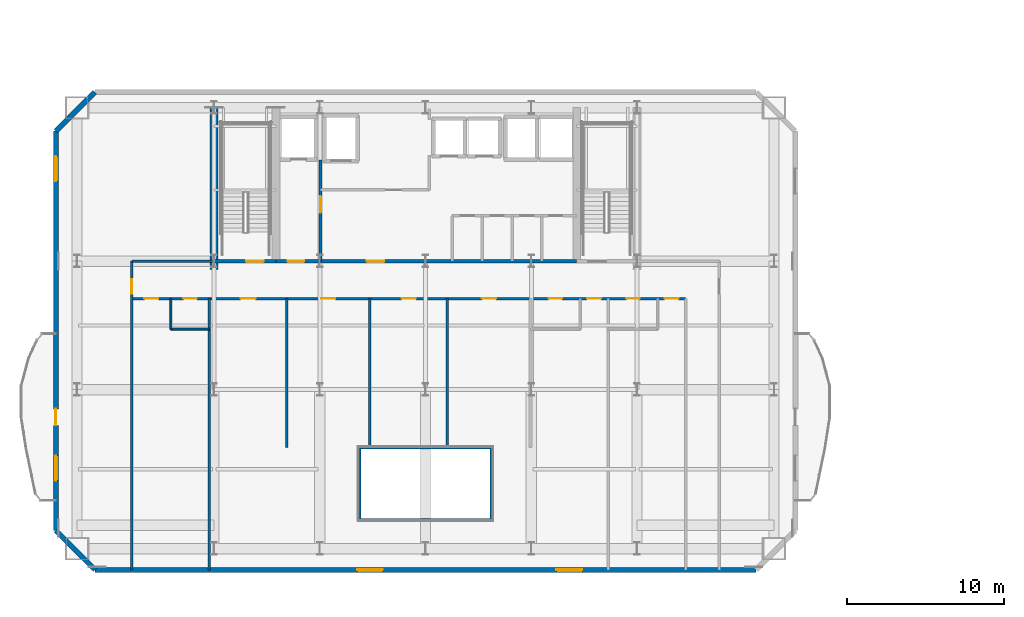
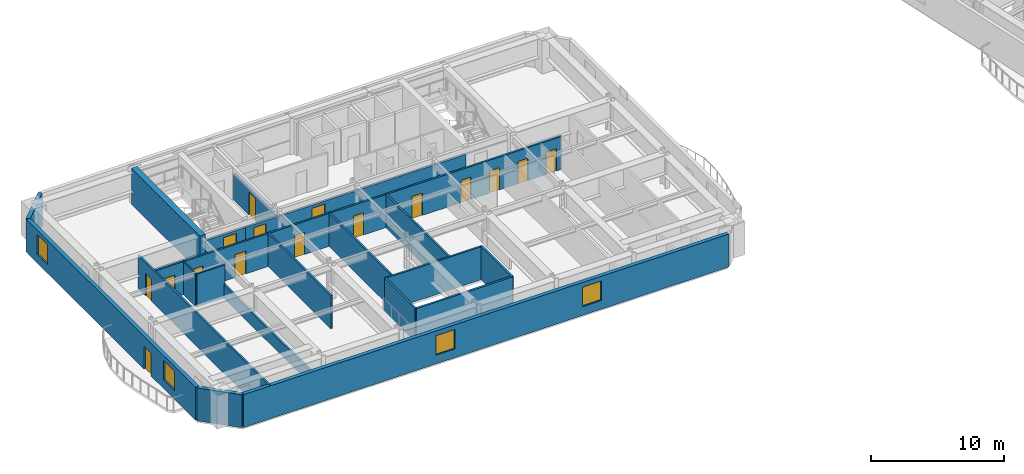
# One storey, part 7 of 15: 22 walls, 16 doors, 4 windows, 20 openings.
"""IFC4 building model written with IfcOpenShell, lengths in metres."""

from ifc_helpers import new_model, si_unit, direction, frame, frame_2d, origin, place, context, subcontext, project, spatial, rectangle, extrude, material, layer, layer_set, type_object, element, fill, save


model = new_model("IFC4")

# Units and contexts
model_context = context("Model", 3, precision=1e-05, world=origin(), true_north=direction((0.0, 1.0)))
body_context = subcontext(model_context, "Body", "Model", "MODEL_VIEW")
ifc_project = project(units=[si_unit("LENGTHUNIT", "METRE"), si_unit("AREAUNIT", "SQUARE_METRE"), si_unit("VOLUMEUNIT", "CUBIC_METRE"), si_unit("PLANEANGLEUNIT", "RADIAN"), si_unit("MASSUNIT", "GRAM", prefix="KILO")], contexts=[model_context])

# Site, building, storey
site_placement = place(None, origin())
site = spatial("IfcSite", under=ifc_project, at=site_placement, CompositionType="ELEMENT")
building_placement = place(site_placement, origin())
building = spatial("IfcBuilding", under=site, at=building_placement, Name="Haevon Station Towers", CompositionType="ELEMENT")
storey_placement = place(building_placement, frame((0.0, 0.0, 109.800048828125)))
storey = spatial("IfcBuildingStorey", under=building, at=storey_placement, Name="L29", CompositionType="ELEMENT", Elevation=109.800048828125)

# Walls
ifc_material_1 = material(Name="Gypsum board on steel stud", Category="steel")
ifc_layer_1 = layer(ifc_material_1, 0.179931640625)
ifc_layer_set_1 = layer_set([ifc_layer_1], Name="Gypsum board on steel stud")
wall_type_1 = type_object("IfcWallType", Name="WL-ACU180", PredefinedType="PARTITIONING", material=ifc_layer_set_1)
wall_1_placement = place(storey_placement, frame((33.300048828125, 21.699951171875, 0.0), z_axis=(0.0, 0.0, 1.0), x_axis=(1.0, 0.0, 0.0)))
element("IfcWall", 1, at=wall_1_placement, inside=storey, type_object=wall_type_1, Name="WL-T1PT-L29-06", PredefinedType="PARTITIONING", context=body_context, shape_type="SweptSolid", body=[
    extrude(rectangle(XDim=8.39990234375, YDim=0.179931640625, at=frame_2d((4.199951171875, 0.0))), origin(), (0.0, 0.0, 1.0), 3.030029296875),
])
wall_2_placement = place(storey_placement, frame((41.699951171875, 21.699951171875, 0.0), z_axis=(0.0, 0.0, 1.0), x_axis=(0.0, 1.0, 0.0)))
element("IfcWall", 2, at=wall_2_placement, inside=storey, type_object=wall_type_1, Name="WL-T1PT-L29-09", PredefinedType="PARTITIONING", context=body_context, shape_type="SweptSolid", body=[
    extrude(rectangle(XDim=4.60009765625, YDim=0.179931640625, at=frame_2d((2.300048828125, 0.0))), origin(), (0.0, 0.0, 1.0), 3.030029296875),
])
wall_3_placement = place(storey_placement, frame((23.698974609375, 18.5, 0.0), z_axis=(0.0, 0.0, 1.0), x_axis=(0.0, 1.0, 0.0)))
element("IfcWall", 3, at=wall_3_placement, inside=storey, type_object=wall_type_1, Name="WL-T1PT-L29-12", PredefinedType="PARTITIONING", context=body_context, shape_type="SweptSolid", body=[
    extrude(rectangle(XDim=17.320068359375, YDim=0.179931640625, at=frame_2d((8.66015625, 0.0))), origin(), (0.0, 0.0, 1.0), 1.22998046875),
])

# Wall, opening, door
ifc_layer_2 = layer(ifc_material_1, 0.199951171875)
ifc_layer_set_2 = layer_set([ifc_layer_2], Name="Gypsum board on steel stud")
wall_type_2 = type_object("IfcWallType", Name="WL-COR200", PredefinedType="PARTITIONING", material=ifc_layer_set_2)
wall_4_placement = place(storey_placement, frame((24.0, 38.199951171875, 0.0), z_axis=(0.0, 0.0, 1.0), x_axis=(1.0, 0.0, 0.0)))
wall_4 = element("IfcWall", 4, at=wall_4_placement, inside=storey, type_object=wall_type_2, Name="WL-ST-ST1-L29", PredefinedType="PARTITIONING", context=body_context, shape_type="SweptSolid", body=[
    extrude(rectangle(XDim=3.949951171875, YDim=0.199951171875, at=frame_2d((1.97509765625, 0.0))), origin(), (0.0, 0.0, 1.0), 2.3798828125),
])
opening_1_placement = place(wall_4_placement, frame((2.050048828125, 0.0, 0.0)))
opening_1 = element("IfcOpeningElement", 5, at=opening_1_placement, cuts=wall_4, Name="Opening DR-ST-ST1-L29", PredefinedType="OPENING", context=body_context, shape_type="SweptSolid", body=[
    extrude(rectangle(XDim=1.1201171875, YDim=2.10009765625, at=frame_2d((0.56005859375, 1.050048828125))), frame((0.0, 0.10986328125, 0.0), z_axis=(0.0, -1.0, 0.0), x_axis=(1.0, 0.0, 0.0)), (0.0, 0.0, 1.0), 0.219970703125),
])
ifc_material_2 = material(Name="Engineered oak timber", Category="wood")
door_type_1 = type_object("IfcDoorType", Name="DR-ST-1120", OperationType="NOTDEFINED", PredefinedType="DOOR", material=ifc_material_2)
door_1_placement = place(opening_1_placement, origin())
door_1 = element("IfcDoor", 6, at=door_1_placement, inside=storey, type_object=door_type_1, Name="L29 Escape Stair ST1 Fire Door", OperationType="SINGLE_SWING_RIGHT", OverallHeight=2.10009765625, OverallWidth=1.1201171875, PredefinedType="DOOR", context=body_context, shape_type="SweptSolid", body=[
    extrude(rectangle(XDim=1.1201171875, YDim=2.10009765625, at=frame_2d((0.56005859375, 1.050048828125))), frame((0.0, 0.02490234375, 0.0), z_axis=(0.0, -1.0, 0.0), x_axis=(1.0, 0.0, 0.0)), (0.0, 0.0, 1.0), 0.050048828125),
])
fill(opening_1, door_1)

wall_5_placement = place(storey_placement, frame((30.800048828125, 38.199951171875, 0.0), z_axis=(0.0, 0.0, 1.0), x_axis=(0.0, 1.0, 0.0)))
wall_5 = element("IfcWall", 7, at=wall_5_placement, inside=storey, type_object=wall_type_2, Name="WL-T1FFL-L29-E", PredefinedType="PARTITIONING", context=body_context, shape_type="SweptSolid", body=[
    extrude(rectangle(XDim=6.449951171875, YDim=0.199951171875, at=frame_2d((3.22509765625, 0.0))), origin(), (0.0, 0.0, 1.0), 2.3798828125),
])
opening_2_placement = place(wall_5_placement, frame((3.10009765625, 0.0, 0.0)))
opening_2 = element("IfcOpeningElement", 8, at=opening_2_placement, cuts=wall_5, Name="Opening DR-T1FFL-L29-E", PredefinedType="OPENING", context=body_context, shape_type="SweptSolid", body=[
    extrude(rectangle(XDim=1.050048828125, YDim=2.10009765625, at=frame_2d((0.52490234375, 1.050048828125))), frame((0.0, 0.10986328125, 0.0), z_axis=(0.0, -1.0, 0.0), x_axis=(1.0, 0.0, 0.0)), (0.0, 0.0, 1.0), 0.219970703125),
])
door_type_2 = type_object("IfcDoorType", Name="DR-FD60-1050", OperationType="NOTDEFINED", PredefinedType="DOOR", material=ifc_material_2)
door_2_placement = place(opening_2_placement, origin())
door_2 = element("IfcDoor", 9, at=door_2_placement, inside=storey, type_object=door_type_2, Name="L29 Tower 1 Firefighting Lift Lobby Door E", OperationType="SINGLE_SWING_RIGHT", OverallHeight=2.10009765625, OverallWidth=1.050048828125, PredefinedType="DOOR", context=body_context, shape_type="SweptSolid", body=[
    extrude(rectangle(XDim=1.050048828125, YDim=2.10009765625, at=frame_2d((0.52490234375, 1.050048828125))), frame((0.0, 0.02490234375, 0.0), z_axis=(0.0, -1.0, 0.0), x_axis=(1.0, 0.0, 0.0)), (0.0, 0.0, 1.0), 0.050048828125),
])
fill(opening_2, door_2)

wall_6_placement = place(storey_placement, frame((27.949951171875, 38.199951171875, 0.0), z_axis=(0.0, 0.0, 1.0), x_axis=(1.0, 0.0, 0.0)))
wall_6 = element("IfcWall", 10, at=wall_6_placement, inside=storey, type_object=wall_type_2, Name="WL-T1FFL-L29-S", PredefinedType="PARTITIONING", context=body_context, shape_type="SweptSolid", body=[
    extrude(rectangle(XDim=2.85009765625, YDim=0.199951171875, at=frame_2d((1.425048828125, 0.0))), origin(), (0.0, 0.0, 1.0), 2.3798828125),
])
opening_3_placement = place(wall_6_placement, frame((0.75, 0.0, 0.0)))
opening_3 = element("IfcOpeningElement", 11, at=opening_3_placement, cuts=wall_6, Name="Opening DR-T1FFL-L29-S", PredefinedType="OPENING", context=body_context, shape_type="SweptSolid", body=[
    extrude(rectangle(XDim=1.050048828125, YDim=2.10009765625, at=frame_2d((0.52490234375, 1.050048828125))), frame((0.0, 0.10986328125, 0.0), z_axis=(0.0, -1.0, 0.0), x_axis=(1.0, 0.0, 0.0)), (0.0, 0.0, 1.0), 0.219970703125),
])
door_3_placement = place(opening_3_placement, origin())
door_3 = element("IfcDoor", 12, at=door_3_placement, inside=storey, type_object=door_type_2, Name="L29 Tower 1 Firefighting Lift Lobby Door S", OperationType="SINGLE_SWING_LEFT", OverallHeight=2.10009765625, OverallWidth=1.050048828125, PredefinedType="DOOR", context=body_context, shape_type="SweptSolid", body=[
    extrude(rectangle(XDim=1.050048828125, YDim=2.10009765625, at=frame_2d((0.52490234375, 1.050048828125))), frame((0.0, 0.02490234375, 0.0), z_axis=(0.0, -1.0, 0.0), x_axis=(1.0, 0.0, 0.0)), (0.0, 0.0, 1.0), 0.050048828125),
])
fill(opening_3, door_3)

wall_7_placement = place(storey_placement, frame((30.800048828125, 38.199951171875, 0.0), z_axis=(0.0, 0.0, 1.0), x_axis=(1.0, 0.0, 0.0)))
wall_7 = element("IfcWall", 13, at=wall_7_placement, inside=storey, type_object=wall_type_2, Name="WL-T1CLB-L29", PredefinedType="PARTITIONING", context=body_context, shape_type="SweptSolid", body=[
    extrude(rectangle(XDim=16.349853515625, YDim=0.199951171875, at=frame_2d((8.1748046875, 0.0))), origin(), (0.0, 0.0, 1.0), 2.3798828125),
])
opening_4_placement = place(wall_7_placement, frame((2.949951171875, 0.0, 0.0)))
opening_4 = element("IfcOpeningElement", 14, at=opening_4_placement, cuts=wall_7, Name="Opening DR-T1CLB-L29-1", PredefinedType="OPENING", context=body_context, shape_type="SweptSolid", body=[
    extrude(rectangle(XDim=1.1201171875, YDim=2.10009765625, at=frame_2d((0.56005859375, 1.050048828125))), frame((0.0, 0.10986328125, 0.0), z_axis=(0.0, -1.0, 0.0), x_axis=(1.0, 0.0, 0.0)), (0.0, 0.0, 1.0), 0.219970703125),
])
door_4_placement = place(opening_4_placement, origin())
door_4 = element("IfcDoor", 15, at=door_4_placement, inside=storey, type_object=door_type_1, Name="L29 Tower 1 Core Lift Lobby Door 1", OperationType="SINGLE_SWING_RIGHT", OverallHeight=2.10009765625, OverallWidth=1.1201171875, PredefinedType="DOOR", context=body_context, shape_type="SweptSolid", body=[
    extrude(rectangle(XDim=1.1201171875, YDim=2.10009765625, at=frame_2d((0.56005859375, 1.050048828125))), frame((0.0, 0.02490234375, 0.0), z_axis=(0.0, -1.0, 0.0), x_axis=(1.0, 0.0, 0.0)), (0.0, 0.0, 1.0), 0.050048828125),
])
fill(opening_4, door_4)

# Wall
ifc_material_3 = material(Name="Concrete C60/75", Category="concrete")
ifc_layer_3 = layer(ifc_material_3, 0.5)
ifc_layer_set_3 = layer_set([ifc_layer_3], Name="Concrete C60/75")
wall_type_3 = type_object("IfcWallType", Name="WL-CR500", PredefinedType="SHEAR", material=ifc_layer_set_3)
wall_8_placement = place(storey_placement, frame((24.0, 37.679931640625, 0.0), z_axis=(0.0, 0.0, 1.0), x_axis=(0.0, 1.0, 0.0)))
element("IfcWall", 16, at=wall_8_placement, inside=storey, type_object=wall_type_3, Name="WL-T1CR-L29-W", PredefinedType="SHEAR", context=body_context, shape_type="SweptSolid", body=[
    extrude(rectangle(XDim=10.320068359375, YDim=0.5, at=frame_2d((5.16015625, 0.0))), origin(), (0.0, 0.0, 1.0), 3.300048828125),
])

# Wall, openings, windows
ifc_material_4 = material(Name="Precast concrete C45/55", Category="concrete")
ifc_layer_4 = layer(ifc_material_4, 0.320068359375)
ifc_layer_set_4 = layer_set([ifc_layer_4], Name="Precast concrete C45/55")
wall_type_4 = type_object("IfcWallType", Name="WL-EXT-PIER320", PredefinedType="SOLIDWALL", material=ifc_layer_set_4)
wall_9_placement = place(storey_placement, frame((58.60009765625, 18.5, 0.0), z_axis=(0.0, 0.0, 1.0), x_axis=(-1.0, 0.0, 0.0)))
wall_9 = element("IfcWall", 17, at=wall_9_placement, inside=storey, type_object=wall_type_4, Name="WL-T1-L29-S", PredefinedType="SOLIDWALL", context=body_context, shape_type="SweptSolid", body=[
    extrude(rectangle(XDim=42.2001953125, YDim=0.320068359375, at=frame_2d((21.10009765625, 0.0))), origin(), (0.0, 0.0, 1.0), 3.030029296875),
])
opening_5_placement = place(wall_9_placement, frame((23.824462890625, 0.0, 0.800048828125)))
opening_5 = element("IfcOpeningElement", 18, at=opening_5_placement, cuts=wall_9, Name="Opening WN-P165", PredefinedType="OPENING", context=body_context, shape_type="SweptSolid", body=[
    extrude(rectangle(XDim=1.64990234375, YDim=1.800048828125, at=frame_2d((0.824951171875, 0.89990234375))), frame((0.0, 0.169921875, 0.0), z_axis=(0.0, -1.0, 0.0), x_axis=(1.0, 0.0, 0.0)), (0.0, 0.0, 1.0), 0.340087890625),
])
opening_6_placement = place(wall_9_placement, frame((11.098388671875, 0.0, 0.800048828125)))
opening_6 = element("IfcOpeningElement", 19, at=opening_6_placement, cuts=wall_9, Name="Opening WN-P165", PredefinedType="OPENING", context=body_context, shape_type="SweptSolid", body=[
    extrude(rectangle(XDim=1.64990234375, YDim=1.800048828125, at=frame_2d((0.824951171875, 0.89990234375))), frame((0.0, 0.169921875, 0.0), z_axis=(0.0, -1.0, 0.0), x_axis=(1.0, 0.0, 0.0)), (0.0, 0.0, 1.0), 0.340087890625),
])
ifc_material_5 = material(Name="Low-E triple glazing in thermally broken aluminium", Category="aluminium")
window_type_1 = type_object("IfcWindowType", Name="WN-P165", PartitioningType="SINGLE_PANEL", PredefinedType="WINDOW", material=ifc_material_5)
window_1_placement = place(opening_5_placement, origin())
window_1 = element("IfcWindow", 20, at=window_1_placement, inside=storey, type_object=window_type_1, Name="WN-T1-L29-S01", OverallHeight=1.800048828125, OverallWidth=1.64990234375, PartitioningType="SINGLE_PANEL", PredefinedType="WINDOW", context=body_context, shape_type="SweptSolid", body=[
    extrude(rectangle(XDim=1.64990234375, YDim=1.800048828125, at=frame_2d((0.824951171875, 0.89990234375))), frame((0.0, 0.030029296875, 0.0), z_axis=(0.0, -1.0, 0.0), x_axis=(1.0, 0.0, 0.0)), (0.0, 0.0, 1.0), 0.06005859375),
])
fill(opening_5, window_1)
window_2_placement = place(opening_6_placement, origin())
window_2 = element("IfcWindow", 21, at=window_2_placement, inside=storey, type_object=window_type_1, Name="WN-T1-L29-S02", OverallHeight=1.800048828125, OverallWidth=1.64990234375, PartitioningType="SINGLE_PANEL", PredefinedType="WINDOW", context=body_context, shape_type="SweptSolid", body=[
    extrude(rectangle(XDim=1.64990234375, YDim=1.800048828125, at=frame_2d((0.824951171875, 0.89990234375))), frame((0.0, 0.030029296875, 0.0), z_axis=(0.0, -1.0, 0.0), x_axis=(1.0, 0.0, 0.0)), (0.0, 0.0, 1.0), 0.06005859375),
])
fill(opening_6, window_2)

# Wall
wall_10_placement = place(storey_placement, frame((16.39990234375, 18.5, 0.0), z_axis=(0.0, 0.0, 1.0), x_axis=(-0.707106781187, 0.707106781187, 0.0)))
element("IfcWall", 22, at=wall_10_placement, inside=storey, type_object=wall_type_4, Name="WL-T1-L29-SWC", PredefinedType="SOLIDWALL", context=body_context, shape_type="SweptSolid", body=[
    extrude(rectangle(XDim=3.53564453125, YDim=0.320068359375, at=frame_2d((1.767822265625, 0.0))), origin(), (0.0, 0.0, 1.0), 3.030029296875),
])

# Wall, openings, door, windows
wall_11_placement = place(storey_placement, frame((13.89990234375, 21.0, 0.0), z_axis=(0.0, 0.0, 1.0), x_axis=(0.0, 1.0, 0.0)))
wall_11 = element("IfcWall", 23, at=wall_11_placement, inside=storey, type_object=wall_type_4, Name="WL-T1-L29-W", PredefinedType="SOLIDWALL", context=body_context, shape_type="SweptSolid", body=[
    extrude(rectangle(XDim=25.5, YDim=0.320068359375, at=frame_2d((12.75, 0.0))), origin(), (0.0, 0.0, 1.0), 3.030029296875),
])
opening_7_placement = place(wall_11_placement, frame((6.72509765625, 0.0, 0.0)))
opening_7 = element("IfcOpeningElement", 24, at=opening_7_placement, cuts=wall_11, Name="Opening DR-T1-SCAL-L29-W", PredefinedType="OPENING", context=body_context, shape_type="SweptSolid", body=[
    extrude(rectangle(XDim=1.050048828125, YDim=2.10009765625, at=frame_2d((0.52490234375, 1.050048828125))), frame((0.0, 0.169921875, 0.0), z_axis=(0.0, -1.0, 0.0), x_axis=(1.0, 0.0, 0.0)), (0.0, 0.0, 1.0), 0.340087890625),
])
opening_8_placement = place(wall_11_placement, frame((3.189208984375, 0.0, 0.800048828125)))
opening_8 = element("IfcOpeningElement", 25, at=opening_8_placement, cuts=wall_11, Name="Opening WN-END160", PredefinedType="OPENING", context=body_context, shape_type="SweptSolid", body=[
    extrude(rectangle(XDim=1.60009765625, YDim=1.800048828125, at=frame_2d((0.800048828125, 0.89990234375))), frame((0.0, 0.169921875, 0.0), z_axis=(0.0, -1.0, 0.0), x_axis=(1.0, 0.0, 0.0)), (0.0, 0.0, 1.0), 0.340087890625),
])
opening_9_placement = place(wall_11_placement, frame((22.3037109375, 0.0, 0.800048828125)))
opening_9 = element("IfcOpeningElement", 26, at=opening_9_placement, cuts=wall_11, Name="Opening WN-END160", PredefinedType="OPENING", context=body_context, shape_type="SweptSolid", body=[
    extrude(rectangle(XDim=1.60009765625, YDim=1.800048828125, at=frame_2d((0.800048828125, 0.89990234375))), frame((0.0, 0.169921875, 0.0), z_axis=(0.0, -1.0, 0.0), x_axis=(1.0, 0.0, 0.0)), (0.0, 0.0, 1.0), 0.340087890625),
])
ifc_material_6 = material(Name="Thermally broken anodised aluminium and laminated safety glass", Category="aluminium")
door_type_3 = type_object("IfcDoorType", Name="DR-BALC-1050", OperationType="NOTDEFINED", PredefinedType="DOOR", material=ifc_material_6)
door_5_placement = place(opening_7_placement, origin())
door_5 = element("IfcDoor", 27, at=door_5_placement, inside=storey, type_object=door_type_3, Name="Tower 1 L29 West Scalloped Balcony Door", OperationType="SINGLE_SWING_RIGHT", OverallHeight=2.10009765625, OverallWidth=1.050048828125, PredefinedType="DOOR", context=body_context, shape_type="SweptSolid", body=[
    extrude(rectangle(XDim=1.050048828125, YDim=2.10009765625, at=frame_2d((0.52490234375, 1.050048828125))), frame((0.0, 0.02490234375, 0.0), z_axis=(0.0, -1.0, 0.0), x_axis=(1.0, 0.0, 0.0)), (0.0, 0.0, 1.0), 0.050048828125),
])
fill(opening_7, door_5)
window_type_2 = type_object("IfcWindowType", Name="WN-END160", PartitioningType="SINGLE_PANEL", PredefinedType="WINDOW", material=ifc_material_5)
window_3_placement = place(opening_8_placement, origin())
window_3 = element("IfcWindow", 28, at=window_3_placement, inside=storey, type_object=window_type_2, Name="WN-T1-L29-W01", OverallHeight=1.800048828125, OverallWidth=1.60009765625, PartitioningType="SINGLE_PANEL", PredefinedType="WINDOW", context=body_context, shape_type="SweptSolid", body=[
    extrude(rectangle(XDim=1.60009765625, YDim=1.800048828125, at=frame_2d((0.800048828125, 0.89990234375))), frame((0.0, 0.030029296875, 0.0), z_axis=(0.0, -1.0, 0.0), x_axis=(1.0, 0.0, 0.0)), (0.0, 0.0, 1.0), 0.06005859375),
])
fill(opening_8, window_3)
window_4_placement = place(opening_9_placement, origin())
window_4 = element("IfcWindow", 29, at=window_4_placement, inside=storey, type_object=window_type_2, Name="WN-T1-L29-W02", OverallHeight=1.800048828125, OverallWidth=1.60009765625, PartitioningType="SINGLE_PANEL", PredefinedType="WINDOW", context=body_context, shape_type="SweptSolid", body=[
    extrude(rectangle(XDim=1.60009765625, YDim=1.800048828125, at=frame_2d((0.800048828125, 0.89990234375))), frame((0.0, 0.030029296875, 0.0), z_axis=(0.0, -1.0, 0.0), x_axis=(1.0, 0.0, 0.0)), (0.0, 0.0, 1.0), 0.06005859375),
])
fill(opening_9, window_4)

# Walls
wall_12_placement = place(storey_placement, frame((13.89990234375, 46.5, 0.0), z_axis=(0.0, 0.0, 1.0), x_axis=(0.707106781187, 0.707106781187, 0.0)))
element("IfcWall", 30, at=wall_12_placement, inside=storey, type_object=wall_type_4, Name="WL-T1-L29-NWC", PredefinedType="SOLIDWALL", context=body_context, shape_type="SweptSolid", body=[
    extrude(rectangle(XDim=3.53564453125, YDim=0.320068359375, at=frame_2d((1.767822265625, 0.0))), origin(), (0.0, 0.0, 1.0), 3.030029296875),
])
ifc_layer_5 = layer(ifc_material_1, 0.125)
ifc_layer_set_5 = layer_set([ifc_layer_5], Name="Gypsum board on steel stud")
wall_type_5 = type_object("IfcWallType", Name="WL-PRT125", PredefinedType="PARTITIONING", material=ifc_layer_set_5)
wall_13_placement = place(storey_placement, frame((21.2490234375, 33.8701171875, 0.0), z_axis=(0.0, 0.0, 1.0), x_axis=(1.0, 0.0, 0.0)))
element("IfcWall", 31, at=wall_13_placement, inside=storey, type_object=wall_type_5, Name="WL-T1PT-L29-10", PredefinedType="PARTITIONING", context=body_context, shape_type="SweptSolid", body=[
    extrude(rectangle(XDim=2.449951171875, YDim=0.125, at=frame_2d((1.22509765625, 0.0))), origin(), (0.0, 0.0, 1.0), 3.030029296875),
])
wall_14_placement = place(storey_placement, frame((21.2490234375, 33.8701171875, 0.0), z_axis=(0.0, 0.0, 1.0), x_axis=(0.0, 1.0, 0.0)))
element("IfcWall", 32, at=wall_14_placement, inside=storey, type_object=wall_type_5, Name="WL-T1PT-L29-11", PredefinedType="PARTITIONING", context=body_context, shape_type="SweptSolid", body=[
    extrude(rectangle(XDim=1.949951171875, YDim=0.125, at=frame_2d((0.97509765625, 0.0))), origin(), (0.0, 0.0, 1.0), 3.030029296875),
])
ifc_layer_6 = layer(ifc_material_1, 0.159912109375)
ifc_layer_set_6 = layer_set([ifc_layer_6], Name="Gypsum board on steel stud")
wall_type_6 = type_object("IfcWallType", Name="WL-PRT160", PredefinedType="PARTITIONING", material=ifc_layer_set_6)
wall_15_placement = place(storey_placement, frame((18.75, 38.199951171875, 0.0), z_axis=(0.0, 0.0, 1.0), x_axis=(1.0, 0.0, 0.0)))
element("IfcWall", 33, at=wall_15_placement, inside=storey, type_object=wall_type_6, Name="WL-T1PT-L29-02", PredefinedType="PARTITIONING", context=body_context, shape_type="SweptSolid", body=[
    extrude(rectangle(XDim=5.25, YDim=0.159912109375, at=frame_2d((2.625, 0.0))), origin(), (0.0, 0.0, 1.0), 1.22998046875),
])

# Wall, opening, door
wall_16_placement = place(storey_placement, frame((18.75, 18.5, 0.0), z_axis=(0.0, 0.0, 1.0), x_axis=(0.0, 1.0, 0.0)))
wall_16 = element("IfcWall", 34, at=wall_16_placement, inside=storey, type_object=wall_type_6, Name="WL-T1PT-L29-04", PredefinedType="PARTITIONING", context=body_context, shape_type="SweptSolid", body=[
    extrude(rectangle(XDim=19.699951171875, YDim=0.159912109375, at=frame_2d((9.85009765625, 0.0))), origin(), (0.0, 0.0, 1.0), 3.030029296875),
])
opening_10_placement = place(wall_16_placement, frame((17.639892578125, 0.0, 0.0)))
opening_10 = element("IfcOpeningElement", 35, at=opening_10_placement, cuts=wall_16, Name="Opening DR-WL-T1PT-L29-04-01", PredefinedType="OPENING", context=body_context, shape_type="SweptSolid", body=[
    extrude(rectangle(XDim=0.89990234375, YDim=2.050048828125, at=frame_2d((0.449951171875, 1.02490234375))), frame((0.0, 0.08984375, 0.0), z_axis=(0.0, -1.0, 0.0), x_axis=(1.0, 0.0, 0.0)), (0.0, 0.0, 1.0), 0.179931640625),
])
door_type_4 = type_object("IfcDoorType", Name="DR-INT-900", OperationType="NOTDEFINED", PredefinedType="DOOR", material=ifc_material_2)
door_6_placement = place(opening_10_placement, origin())
door_6 = element("IfcDoor", 36, at=door_6_placement, inside=storey, type_object=door_type_4, Name="L29 Tower 1 Room Door 4-1", OperationType="SINGLE_SWING_RIGHT", OverallHeight=2.050048828125, OverallWidth=0.89990234375, PredefinedType="DOOR", context=body_context, shape_type="SweptSolid", body=[
    extrude(rectangle(XDim=0.89990234375, YDim=2.050048828125, at=frame_2d((0.449951171875, 1.02490234375))), frame((0.0, 0.02490234375, 0.0), z_axis=(0.0, -1.0, 0.0), x_axis=(1.0, 0.0, 0.0)), (0.0, 0.0, 1.0), 0.050048828125),
])
fill(opening_10, door_6)

# Walls
wall_17_placement = place(storey_placement, frame((33.300048828125, 26.300048828125, 0.0), z_axis=(0.0, 0.0, 1.0), x_axis=(1.0, 0.0, 0.0)))
element("IfcWall", 37, at=wall_17_placement, inside=storey, type_object=wall_type_6, Name="WL-T1PT-L29-07", PredefinedType="PARTITIONING", context=body_context, shape_type="SweptSolid", body=[
    extrude(rectangle(XDim=8.39990234375, YDim=0.159912109375, at=frame_2d((4.199951171875, 0.0))), origin(), (0.0, 0.0, 1.0), 3.030029296875),
])
wall_18_placement = place(storey_placement, frame((33.300048828125, 21.699951171875, 0.0), z_axis=(0.0, 0.0, 1.0), x_axis=(0.0, 1.0, 0.0)))
element("IfcWall", 38, at=wall_18_placement, inside=storey, type_object=wall_type_6, Name="WL-T1PT-L29-08", PredefinedType="PARTITIONING", context=body_context, shape_type="SweptSolid", body=[
    extrude(rectangle(XDim=4.60009765625, YDim=0.159912109375, at=frame_2d((2.300048828125, 0.0))), origin(), (0.0, 0.0, 1.0), 3.030029296875),
])
for number, where, z_axis, x_axis, name in (
    (39, (28.64794921875, 26.300048828125, 0.0), (0.0, 0.0, 1.0), (0.0, 1.0, 0.0), "WL-T1PT-L29-13"),
    (40, (33.950439453125, 26.300048828125, 0.0), (0.0, 0.0, 1.0), (0.0, 1.0, 0.0), "WL-T1PT-L29-14"),
    (41, (38.8994140625, 26.300048828125, 0.0), (0.0, 0.0, 1.0), (0.0, 1.0, 0.0), "WL-T1PT-L29-16"),
):
    element("IfcWall", number, at=place(storey_placement, frame(where, z_axis=z_axis, x_axis=x_axis)), inside=storey, type_object=wall_type_6, Name=name, PredefinedType="PARTITIONING", context=body_context, shape_type="SweptSolid", body=[
        extrude(rectangle(XDim=9.52001953125, YDim=0.159912109375, at=frame_2d((4.760009765625, 0.0))), origin(), (0.0, 0.0, 1.0), 3.030029296875),
    ])

# Wall, openings, doors
wall_19_placement = place(storey_placement, frame((18.75, 35.820068359375, 0.0), z_axis=(0.0, 0.0, 1.0), x_axis=(1.0, 0.0, 0.0)))
wall_19 = element("IfcWall", 42, at=wall_19_placement, inside=storey, type_object=wall_type_6, Name="WL-T1PT-L29-25", PredefinedType="PARTITIONING", context=body_context, shape_type="SweptSolid", body=[
    extrude(rectangle(XDim=35.35009765625, YDim=0.159912109375, at=frame_2d((17.675048828125, 0.0))), origin(), (0.0, 0.0, 1.0), 3.030029296875),
])
opening_11_placement = place(wall_19_placement, frame((3.299072265625, 0.0, 0.0)))
opening_11 = element("IfcOpeningElement", 43, at=opening_11_placement, cuts=wall_19, Name="Opening DR-WL-T1PT-L29-25-01", PredefinedType="OPENING", context=body_context, shape_type="SweptSolid", body=[
    extrude(rectangle(XDim=0.85009765625, YDim=2.050048828125, at=frame_2d((0.425048828125, 1.02490234375))), frame((0.0, 0.08984375, 0.0), z_axis=(0.0, -1.0, 0.0), x_axis=(1.0, 0.0, 0.0)), (0.0, 0.0, 1.0), 0.179931640625),
])
opening_12_placement = place(wall_19_placement, frame((0.799072265625, 0.0, 0.0)))
opening_12 = element("IfcOpeningElement", 44, at=opening_12_placement, cuts=wall_19, Name="Opening DR-WL-T1PT-L29-25-02", PredefinedType="OPENING", context=body_context, shape_type="SweptSolid", body=[
    extrude(rectangle(XDim=0.89990234375, YDim=2.050048828125, at=frame_2d((0.449951171875, 1.02490234375))), frame((0.0, 0.08984375, 0.0), z_axis=(0.0, -1.0, 0.0), x_axis=(1.0, 0.0, 0.0)), (0.0, 0.0, 1.0), 0.179931640625),
])
opening_13_placement = place(wall_19_placement, frame((6.948974609375, 0.0, 0.0)))
opening_13 = element("IfcOpeningElement", 45, at=opening_13_placement, cuts=wall_19, Name="Opening DR-WL-T1PT-L29-25-03", PredefinedType="OPENING", context=body_context, shape_type="SweptSolid", body=[
    extrude(rectangle(XDim=0.949951171875, YDim=2.10009765625, at=frame_2d((0.47509765625, 1.050048828125))), frame((0.0, 0.08984375, 0.0), z_axis=(0.0, -1.0, 0.0), x_axis=(1.0, 0.0, 0.0)), (0.0, 0.0, 1.0), 0.179931640625),
])
opening_14_placement = place(wall_19_placement, frame((12.09912109375, 0.0, 0.0)))
opening_14 = element("IfcOpeningElement", 46, at=opening_14_placement, cuts=wall_19, Name="Opening DR-WL-T1PT-L29-25-04", PredefinedType="OPENING", context=body_context, shape_type="SweptSolid", body=[
    extrude(rectangle(XDim=0.89990234375, YDim=2.050048828125, at=frame_2d((0.449951171875, 1.02490234375))), frame((0.0, 0.08984375, 0.0), z_axis=(0.0, -1.0, 0.0), x_axis=(1.0, 0.0, 0.0)), (0.0, 0.0, 1.0), 0.179931640625),
])
opening_15_placement = place(wall_19_placement, frame((17.22509765625, 0.0, 0.0)))
opening_15 = element("IfcOpeningElement", 47, at=opening_15_placement, cuts=wall_19, Name="Opening DR-WL-T1PT-L29-25-05", PredefinedType="OPENING", context=body_context, shape_type="SweptSolid", body=[
    extrude(rectangle(XDim=0.89990234375, YDim=2.050048828125, at=frame_2d((0.449951171875, 1.02490234375))), frame((0.0, 0.08984375, 0.0), z_axis=(0.0, -1.0, 0.0), x_axis=(1.0, 0.0, 0.0)), (0.0, 0.0, 1.0), 0.179931640625),
])
opening_16_placement = place(wall_19_placement, frame((22.35107421875, 0.0, 0.0)))
opening_16 = element("IfcOpeningElement", 48, at=opening_16_placement, cuts=wall_19, Name="Opening DR-WL-T1PT-L29-25-06", PredefinedType="OPENING", context=body_context, shape_type="SweptSolid", body=[
    extrude(rectangle(XDim=0.89990234375, YDim=2.050048828125, at=frame_2d((0.449951171875, 1.02490234375))), frame((0.0, 0.08984375, 0.0), z_axis=(0.0, -1.0, 0.0), x_axis=(1.0, 0.0, 0.0)), (0.0, 0.0, 1.0), 0.179931640625),
])
opening_17_placement = place(wall_19_placement, frame((26.612060546875, 0.0, 0.0)))
opening_17 = element("IfcOpeningElement", 49, at=opening_17_placement, cuts=wall_19, Name="Opening DR-WL-T1PT-L29-25-07", PredefinedType="OPENING", context=body_context, shape_type="SweptSolid", body=[
    extrude(rectangle(XDim=0.85009765625, YDim=2.050048828125, at=frame_2d((0.425048828125, 1.02490234375))), frame((0.0, 0.08984375, 0.0), z_axis=(0.0, -1.0, 0.0), x_axis=(1.0, 0.0, 0.0)), (0.0, 0.0, 1.0), 0.179931640625),
])
opening_18_placement = place(wall_19_placement, frame((29.06103515625, 0.0, 0.0)))
opening_18 = element("IfcOpeningElement", 50, at=opening_18_placement, cuts=wall_19, Name="Opening DR-WL-T1PT-L29-25-08", PredefinedType="OPENING", context=body_context, shape_type="SweptSolid", body=[
    extrude(rectangle(XDim=0.89990234375, YDim=2.050048828125, at=frame_2d((0.449951171875, 1.02490234375))), frame((0.0, 0.08984375, 0.0), z_axis=(0.0, -1.0, 0.0), x_axis=(1.0, 0.0, 0.0)), (0.0, 0.0, 1.0), 0.179931640625),
])
opening_19_placement = place(wall_19_placement, frame((31.56103515625, 0.0, 0.0)))
opening_19 = element("IfcOpeningElement", 51, at=opening_19_placement, cuts=wall_19, Name="Opening DR-WL-T1PT-L29-25-09", PredefinedType="OPENING", context=body_context, shape_type="SweptSolid", body=[
    extrude(rectangle(XDim=0.85009765625, YDim=2.050048828125, at=frame_2d((0.425048828125, 1.02490234375))), frame((0.0, 0.08984375, 0.0), z_axis=(0.0, -1.0, 0.0), x_axis=(1.0, 0.0, 0.0)), (0.0, 0.0, 1.0), 0.179931640625),
])
opening_20_placement = place(wall_19_placement, frame((34.010009765625, 0.0, 0.0)))
opening_20 = element("IfcOpeningElement", 52, at=opening_20_placement, cuts=wall_19, Name="Opening DR-WL-T1PT-L29-25-10", PredefinedType="OPENING", context=body_context, shape_type="SweptSolid", body=[
    extrude(rectangle(XDim=0.89990234375, YDim=2.050048828125, at=frame_2d((0.449951171875, 1.02490234375))), frame((0.0, 0.08984375, 0.0), z_axis=(0.0, -1.0, 0.0), x_axis=(1.0, 0.0, 0.0)), (0.0, 0.0, 1.0), 0.179931640625),
])
door_type_5 = type_object("IfcDoorType", Name="DR-FD30-850", OperationType="NOTDEFINED", PredefinedType="DOOR", material=ifc_material_2)
door_7_placement = place(opening_11_placement, origin())
door_7 = element("IfcDoor", 53, at=door_7_placement, inside=storey, type_object=door_type_5, Name="L29 Tower 1 Room Door 25-1", OperationType="SINGLE_SWING_RIGHT", OverallHeight=2.050048828125, OverallWidth=0.85009765625, PredefinedType="DOOR", context=body_context, shape_type="SweptSolid", body=[
    extrude(rectangle(XDim=0.85009765625, YDim=2.050048828125, at=frame_2d((0.425048828125, 1.02490234375))), frame((0.0, 0.02490234375, 0.0), z_axis=(0.0, -1.0, 0.0), x_axis=(1.0, 0.0, 0.0)), (0.0, 0.0, 1.0), 0.050048828125),
])
fill(opening_11, door_7)
door_8_placement = place(opening_17_placement, origin())
door_8 = element("IfcDoor", 54, at=door_8_placement, inside=storey, type_object=door_type_5, Name="L29 Tower 1 Room Door 25-7", OperationType="SINGLE_SWING_RIGHT", OverallHeight=2.050048828125, OverallWidth=0.85009765625, PredefinedType="DOOR", context=body_context, shape_type="SweptSolid", body=[
    extrude(rectangle(XDim=0.85009765625, YDim=2.050048828125, at=frame_2d((0.425048828125, 1.02490234375))), frame((0.0, 0.02490234375, 0.0), z_axis=(0.0, -1.0, 0.0), x_axis=(1.0, 0.0, 0.0)), (0.0, 0.0, 1.0), 0.050048828125),
])
fill(opening_17, door_8)
door_9_placement = place(opening_19_placement, origin())
door_9 = element("IfcDoor", 55, at=door_9_placement, inside=storey, type_object=door_type_5, Name="L29 Tower 1 Room Door 25-9", OperationType="SINGLE_SWING_RIGHT", OverallHeight=2.050048828125, OverallWidth=0.85009765625, PredefinedType="DOOR", context=body_context, shape_type="SweptSolid", body=[
    extrude(rectangle(XDim=0.85009765625, YDim=2.050048828125, at=frame_2d((0.425048828125, 1.02490234375))), frame((0.0, 0.02490234375, 0.0), z_axis=(0.0, -1.0, 0.0), x_axis=(1.0, 0.0, 0.0)), (0.0, 0.0, 1.0), 0.050048828125),
])
fill(opening_19, door_9)
door_type_6 = type_object("IfcDoorType", Name="DR-FD30-950", OperationType="NOTDEFINED", PredefinedType="DOOR", material=ifc_material_2)
door_10_placement = place(opening_13_placement, origin())
door_10 = element("IfcDoor", 56, at=door_10_placement, inside=storey, type_object=door_type_6, Name="L29 Tower 1 Room Door 25-3", OperationType="SINGLE_SWING_RIGHT", OverallHeight=2.10009765625, OverallWidth=0.949951171875, PredefinedType="DOOR", context=body_context, shape_type="SweptSolid", body=[
    extrude(rectangle(XDim=0.949951171875, YDim=2.10009765625, at=frame_2d((0.47509765625, 1.050048828125))), frame((0.0, 0.02490234375, 0.0), z_axis=(0.0, -1.0, 0.0), x_axis=(1.0, 0.0, 0.0)), (0.0, 0.0, 1.0), 0.050048828125),
])
fill(opening_13, door_10)
door_11_placement = place(opening_12_placement, origin())
door_11 = element("IfcDoor", 57, at=door_11_placement, inside=storey, type_object=door_type_4, Name="L29 Tower 1 Room Door 25-2", OperationType="SINGLE_SWING_LEFT", OverallHeight=2.050048828125, OverallWidth=0.89990234375, PredefinedType="DOOR", context=body_context, shape_type="SweptSolid", body=[
    extrude(rectangle(XDim=0.89990234375, YDim=2.050048828125, at=frame_2d((0.449951171875, 1.02490234375))), frame((0.0, 0.02490234375, 0.0), z_axis=(0.0, -1.0, 0.0), x_axis=(1.0, 0.0, 0.0)), (0.0, 0.0, 1.0), 0.050048828125),
])
fill(opening_12, door_11)
door_12_placement = place(opening_14_placement, origin())
door_12 = element("IfcDoor", 58, at=door_12_placement, inside=storey, type_object=door_type_4, Name="L29 Tower 1 Room Door 25-4", OperationType="SINGLE_SWING_LEFT", OverallHeight=2.050048828125, OverallWidth=0.89990234375, PredefinedType="DOOR", context=body_context, shape_type="SweptSolid", body=[
    extrude(rectangle(XDim=0.89990234375, YDim=2.050048828125, at=frame_2d((0.449951171875, 1.02490234375))), frame((0.0, 0.02490234375, 0.0), z_axis=(0.0, -1.0, 0.0), x_axis=(1.0, 0.0, 0.0)), (0.0, 0.0, 1.0), 0.050048828125),
])
fill(opening_14, door_12)
door_13_placement = place(opening_15_placement, origin())
door_13 = element("IfcDoor", 59, at=door_13_placement, inside=storey, type_object=door_type_4, Name="L29 Tower 1 Room Door 25-5", OperationType="SINGLE_SWING_RIGHT", OverallHeight=2.050048828125, OverallWidth=0.89990234375, PredefinedType="DOOR", context=body_context, shape_type="SweptSolid", body=[
    extrude(rectangle(XDim=0.89990234375, YDim=2.050048828125, at=frame_2d((0.449951171875, 1.02490234375))), frame((0.0, 0.02490234375, 0.0), z_axis=(0.0, -1.0, 0.0), x_axis=(1.0, 0.0, 0.0)), (0.0, 0.0, 1.0), 0.050048828125),
])
fill(opening_15, door_13)
door_14_placement = place(opening_16_placement, origin())
door_14 = element("IfcDoor", 60, at=door_14_placement, inside=storey, type_object=door_type_4, Name="L29 Tower 1 Room Door 25-6", OperationType="SINGLE_SWING_LEFT", OverallHeight=2.050048828125, OverallWidth=0.89990234375, PredefinedType="DOOR", context=body_context, shape_type="SweptSolid", body=[
    extrude(rectangle(XDim=0.89990234375, YDim=2.050048828125, at=frame_2d((0.449951171875, 1.02490234375))), frame((0.0, 0.02490234375, 0.0), z_axis=(0.0, -1.0, 0.0), x_axis=(1.0, 0.0, 0.0)), (0.0, 0.0, 1.0), 0.050048828125),
])
fill(opening_16, door_14)
door_15_placement = place(opening_18_placement, origin())
door_15 = element("IfcDoor", 61, at=door_15_placement, inside=storey, type_object=door_type_4, Name="L29 Tower 1 Room Door 25-8", OperationType="SINGLE_SWING_LEFT", OverallHeight=2.050048828125, OverallWidth=0.89990234375, PredefinedType="DOOR", context=body_context, shape_type="SweptSolid", body=[
    extrude(rectangle(XDim=0.89990234375, YDim=2.050048828125, at=frame_2d((0.449951171875, 1.02490234375))), frame((0.0, 0.02490234375, 0.0), z_axis=(0.0, -1.0, 0.0), x_axis=(1.0, 0.0, 0.0)), (0.0, 0.0, 1.0), 0.050048828125),
])
fill(opening_18, door_15)
door_16_placement = place(opening_20_placement, origin())
door_16 = element("IfcDoor", 62, at=door_16_placement, inside=storey, type_object=door_type_4, Name="L29 Tower 1 Room Door 25-10", OperationType="SINGLE_SWING_LEFT", OverallHeight=2.050048828125, OverallWidth=0.89990234375, PredefinedType="DOOR", context=body_context, shape_type="SweptSolid", body=[
    extrude(rectangle(XDim=0.89990234375, YDim=2.050048828125, at=frame_2d((0.449951171875, 1.02490234375))), frame((0.0, 0.02490234375, 0.0), z_axis=(0.0, -1.0, 0.0), x_axis=(1.0, 0.0, 0.0)), (0.0, 0.0, 1.0), 0.050048828125),
])
fill(opening_20, door_16)

save(model, "model.ifc")
